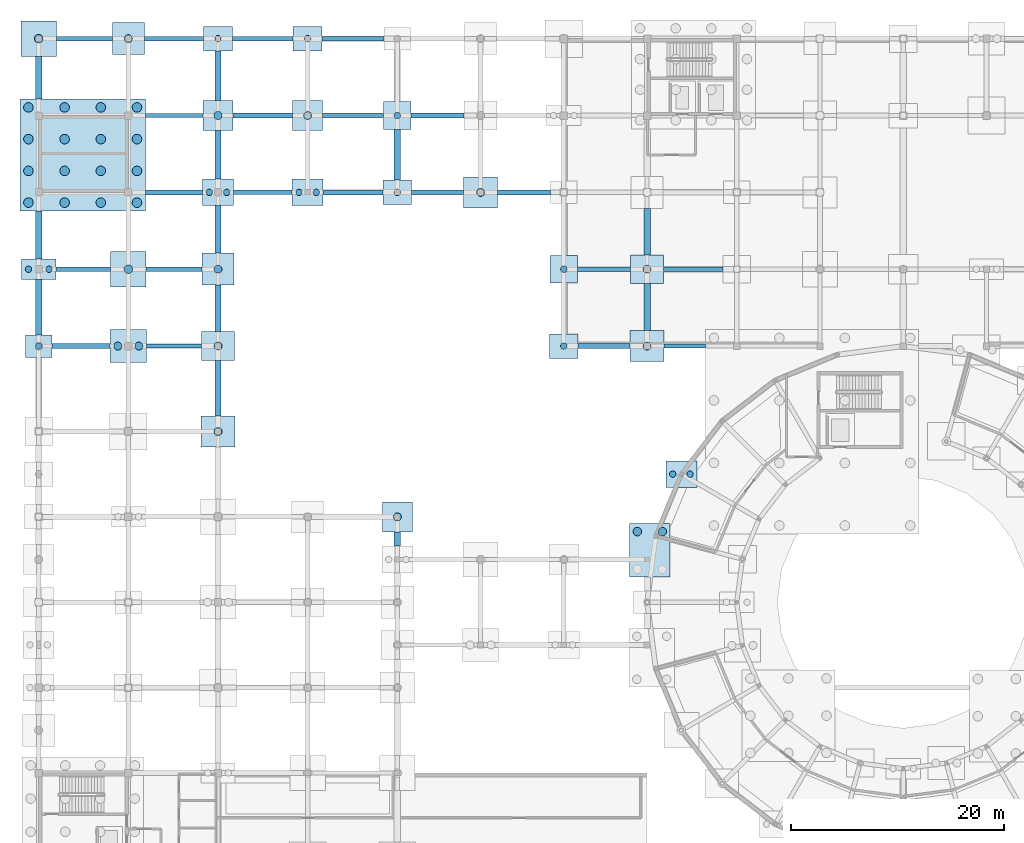
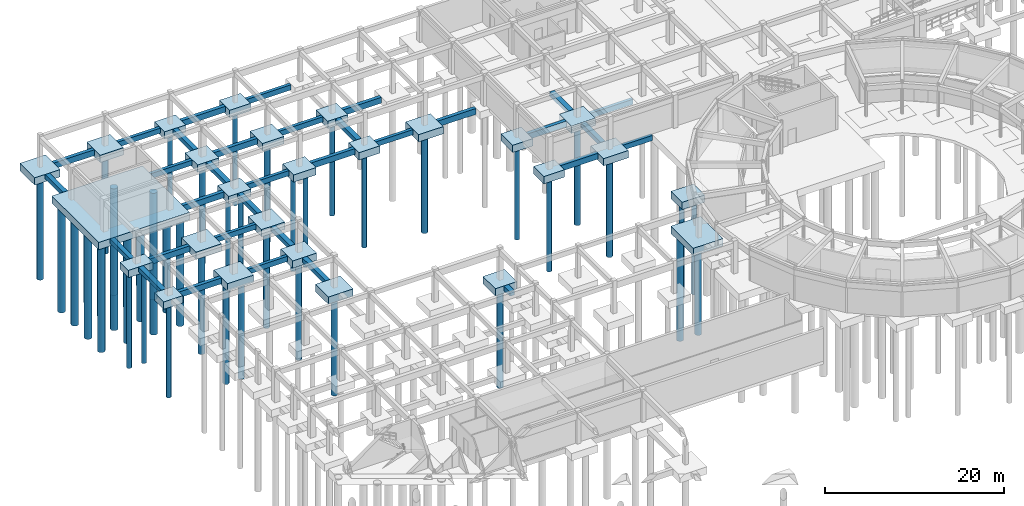
# One storey, part 4 of 43: 59 footings, 47 piles.
"""IFC4 building model written with IfcOpenShell, lengths in metres."""

from ifc_helpers import new_model, si_unit, derived_unit, direction, frame, origin, origin_2d, place, context, subcontext, project, spatial, rectangle, circle, extrude, material, material_profile, profile_set, type_object, element, save


model = new_model("IFC4")

# Units and contexts
model_context = context("Model", 3, precision=1e-05, world=origin(), true_north=direction((0.0, 1.0)))
body_context = subcontext(model_context, "Body", "Model", "MODEL_VIEW")
ifc_project = project(units=[si_unit("LENGTHUNIT", "METRE"), si_unit("AREAUNIT", "SQUARE_METRE"), si_unit("VOLUMEUNIT", "CUBIC_METRE"), si_unit("PLANEANGLEUNIT", "RADIAN"), si_unit("MASSUNIT", "GRAM", prefix="KILO"), derived_unit("THERMALTRANSMITTANCEUNIT", [(si_unit("POWERUNIT", "WATT"), 1), (si_unit("AREAUNIT", "SQUARE_METRE"), -1), (si_unit("THERMODYNAMICTEMPERATUREUNIT", "KELVIN"), -1)])], contexts=[model_context])

# Site, building, storey
site_placement = place(None, origin())
site = spatial("IfcSite", under=ifc_project, at=site_placement, CompositionType="ELEMENT")
building_placement = place(site_placement, origin())
building = spatial("IfcBuilding", under=site, at=building_placement, Name="Yasenodar Specialist Clinic", CompositionType="ELEMENT")
storey_placement = place(building_placement, frame((0.0, 0.0, -4.5)))
storey = spatial("IfcBuildingStorey", under=building, at=storey_placement, Name="B1", CompositionType="ELEMENT", Elevation=-4.5)

# Footings
ifc_material_1 = material(Name="Concrete C35/45", Category="concrete")
ifc_material_profile_1 = material_profile(ifc_material_1, rectangle(XDim=0.39990234375, YDim=0.699951171875, at=origin_2d()), Name="RC 400x700")
ifc_profile_set_1 = profile_set([ifc_material_profile_1], Name="Concrete C35/45")
footing_type_1 = type_object("IfcFootingType", Name="FB-400x700", PredefinedType="FOOTING_BEAM", material=ifc_profile_set_1)
footing_1_placement = place(storey_placement, frame((10.10009765625, 82.800048828125, -0.39990234375), z_axis=(1.0, 0.0, 0.0), x_axis=(0.0, 1.0, 0.0)))
element("IfcFooting", 1, at=footing_1_placement, inside=storey, type_object=footing_type_1, Name="B1 E-W Ground Tie Beam 064", PredefinedType="FOOTING_BEAM", context=body_context, shape_type="SweptSolid", body=[
    extrude(rectangle(XDim=0.39990234375, YDim=0.699951171875, at=origin_2d()), origin(), (0.0, 0.0, 1.0), 5.14990234375),
])
footing_2_placement = place(storey_placement, frame((58.60009765625, 82.800048828125, -0.39990234375), z_axis=(1.0, 0.0, 0.0), x_axis=(0.0, 1.0, 0.0)))
element("IfcFooting", 2, at=footing_2_placement, inside=storey, type_object=footing_type_1, Name="B1 E-W Ground Tie Beam 066", PredefinedType="FOOTING_BEAM", context=body_context, shape_type="SweptSolid", body=[
    extrude(rectangle(XDim=0.39990234375, YDim=0.699951171875, at=origin_2d()), origin(), (0.0, 0.0, 1.0), 3.87890625),
])
footing_3_placement = place(storey_placement, frame((10.050048828125, 90.0, -0.39990234375), z_axis=(1.0, 0.0, 0.0), x_axis=(0.0, 1.0, 0.0)))
element("IfcFooting", 3, at=footing_3_placement, inside=storey, type_object=footing_type_1, Name="B1 E-W Ground Tie Beam 074", PredefinedType="FOOTING_BEAM", context=body_context, shape_type="SweptSolid", body=[
    extrude(rectangle(XDim=0.39990234375, YDim=0.699951171875, at=origin_2d()), origin(), (0.0, 0.0, 1.0), 5.25),
])
footing_4_placement = place(storey_placement, frame((58.550048828125, 90.0, -0.39990234375), z_axis=(1.0, 0.0, 0.0), x_axis=(0.0, 1.0, 0.0)))
element("IfcFooting", 4, at=footing_4_placement, inside=storey, type_object=footing_type_1, Name="B1 E-W Ground Tie Beam 076", PredefinedType="FOOTING_BEAM", context=body_context, shape_type="SweptSolid", body=[
    extrude(rectangle(XDim=0.39990234375, YDim=0.699951171875, at=origin_2d()), origin(), (0.0, 0.0, 1.0), 5.550048828125),
])
footing_5_placement = place(storey_placement, frame((18.25, 97.199951171875, -0.39990234375), z_axis=(1.0, 0.0, 0.0), x_axis=(0.0, 1.0, 0.0)))
element("IfcFooting", 5, at=footing_5_placement, inside=storey, type_object=footing_type_1, Name="B1 E-W Ground Tie Beam 086", PredefinedType="FOOTING_BEAM", context=body_context, shape_type="SweptSolid", body=[
    extrude(rectangle(XDim=0.39990234375, YDim=0.699951171875, at=origin_2d()), origin(), (0.0, 0.0, 1.0), 5.5),
])
footing_6_placement = place(storey_placement, frame((34.949951171875, 97.199951171875, -0.39990234375), z_axis=(1.0, 0.0, 0.0), x_axis=(0.0, 1.0, 0.0)))
element("IfcFooting", 6, at=footing_6_placement, inside=storey, type_object=footing_type_1, Name="B1 E-W Ground Tie Beam 088", PredefinedType="FOOTING_BEAM", context=body_context, shape_type="SweptSolid", body=[
    extrude(rectangle(XDim=0.39990234375, YDim=0.699951171875, at=origin_2d()), origin(), (0.0, 0.0, 1.0), 4.85009765625),
])
footing_7_placement = place(storey_placement, frame((10.0, 104.39990234375, -0.39990234375), z_axis=(1.0, 0.0, 0.0), x_axis=(0.0, 1.0, 0.0)))
element("IfcFooting", 7, at=footing_7_placement, inside=storey, type_object=footing_type_1, Name="B1 E-W Ground Tie Beam 096", PredefinedType="FOOTING_BEAM", context=body_context, shape_type="SweptSolid", body=[
    extrude(rectangle(XDim=0.39990234375, YDim=0.699951171875, at=origin_2d()), origin(), (0.0, 0.0, 1.0), 5.39990234375),
])
footing_8_placement = place(storey_placement, frame((26.60009765625, 104.39990234375, -0.39990234375), z_axis=(1.0, 0.0, 0.0), x_axis=(0.0, 1.0, 0.0)))
element("IfcFooting", 8, at=footing_8_placement, inside=storey, type_object=footing_type_1, Name="B1 E-W Ground Tie Beam 098", PredefinedType="FOOTING_BEAM", context=body_context, shape_type="SweptSolid", body=[
    extrude(rectangle(XDim=0.39990234375, YDim=0.699951171875, at=origin_2d()), origin(), (0.0, 0.0, 1.0), 5.699951171875),
])
footing_9_placement = place(storey_placement, frame((9.89990234375, 111.60009765625, -0.39990234375), z_axis=(1.0, 0.0, 0.0), x_axis=(0.0, 1.0, 0.0)))
element("IfcFooting", 9, at=footing_9_placement, inside=storey, type_object=footing_type_1, Name="B1 E-W Ground Tie Beam 110", PredefinedType="FOOTING_BEAM", context=body_context, shape_type="SweptSolid", body=[
    extrude(rectangle(XDim=0.39990234375, YDim=0.699951171875, at=origin_2d()), origin(), (0.0, 0.0, 1.0), 5.550048828125),
])
footing_10_placement = place(storey_placement, frame((26.550048828125, 111.60009765625, -0.39990234375), z_axis=(1.0, 0.0, 0.0), x_axis=(0.0, 1.0, 0.0)))
element("IfcFooting", 10, at=footing_10_placement, inside=storey, type_object=footing_type_1, Name="B1 E-W Ground Tie Beam 112", PredefinedType="FOOTING_BEAM", context=body_context, shape_type="SweptSolid", body=[
    extrude(rectangle(XDim=0.39990234375, YDim=0.699951171875, at=origin_2d()), origin(), (0.0, 0.0, 1.0), 5.800048828125),
])
ifc_material_profile_2 = material_profile(ifc_material_1, rectangle(XDim=0.449951171875, YDim=0.800048828125, at=origin_2d()), Name="RC 450x800")
ifc_profile_set_2 = profile_set([ifc_material_profile_2], Name="Concrete C35/45")
footing_type_2 = type_object("IfcFootingType", Name="FB-450x800", PredefinedType="FOOTING_BEAM", material=ifc_profile_set_2)
footing_11_placement = place(storey_placement, frame((1.25, 82.800048828125, -0.39990234375), z_axis=(1.0, 0.0, 0.0), x_axis=(0.0, 1.0, 0.0)))
element("IfcFooting", 11, at=footing_11_placement, inside=storey, type_object=footing_type_2, Name="B1 E-W Ground Tie Beam 063", PredefinedType="FOOTING_BEAM", context=body_context, shape_type="SweptSolid", body=[
    extrude(rectangle(XDim=0.449951171875, YDim=0.800048828125, at=origin_2d()), origin(), (0.0, 0.0, 1.0), 5.449951171875),
])
footing_12_placement = place(storey_placement, frame((50.550048828125, 82.800048828125, -0.39990234375), z_axis=(1.0, 0.0, 0.0), x_axis=(0.0, 1.0, 0.0)))
element("IfcFooting", 12, at=footing_12_placement, inside=storey, type_object=footing_type_2, Name="B1 E-W Ground Tie Beam 065", PredefinedType="FOOTING_BEAM", context=body_context, shape_type="SweptSolid", body=[
    extrude(rectangle(XDim=0.449951171875, YDim=0.800048828125, at=origin_2d()), origin(), (0.0, 0.0, 1.0), 4.849853515625),
])
footing_13_placement = place(storey_placement, frame((1.60009765625, 90.0, -0.39990234375), z_axis=(1.0, 0.0, 0.0), x_axis=(0.0, 1.0, 0.0)))
element("IfcFooting", 13, at=footing_13_placement, inside=storey, type_object=footing_type_2, Name="B1 E-W Ground Tie Beam 073", PredefinedType="FOOTING_BEAM", context=body_context, shape_type="SweptSolid", body=[
    extrude(rectangle(XDim=0.449951171875, YDim=0.800048828125, at=origin_2d()), origin(), (0.0, 0.0, 1.0), 5.14990234375),
])
footing_14_placement = place(storey_placement, frame((50.5, 90.0, -0.39990234375), z_axis=(1.0, 0.0, 0.0), x_axis=(0.0, 1.0, 0.0)))
element("IfcFooting", 14, at=footing_14_placement, inside=storey, type_object=footing_type_2, Name="B1 E-W Ground Tie Beam 075", PredefinedType="FOOTING_BEAM", context=body_context, shape_type="SweptSolid", body=[
    extrude(rectangle(XDim=0.449951171875, YDim=0.800048828125, at=origin_2d()), origin(), (0.0, 0.0, 1.0), 4.949951171875),
])
footing_15_placement = place(storey_placement, frame((10.0, 97.199951171875, -0.39990234375), z_axis=(1.0, 0.0, 0.0), x_axis=(0.0, 1.0, 0.0)))
element("IfcFooting", 15, at=footing_15_placement, inside=storey, type_object=footing_type_2, Name="B1 E-W Ground Tie Beam 085", PredefinedType="FOOTING_BEAM", context=body_context, shape_type="SweptSolid", body=[
    extrude(rectangle(XDim=0.449951171875, YDim=0.800048828125, at=origin_2d()), origin(), (0.0, 0.0, 1.0), 5.35009765625),
])
footing_16_placement = place(storey_placement, frame((26.64990234375, 97.199951171875, -0.39990234375), z_axis=(1.0, 0.0, 0.0), x_axis=(0.0, 1.0, 0.0)))
element("IfcFooting", 16, at=footing_16_placement, inside=storey, type_object=footing_type_2, Name="B1 E-W Ground Tie Beam 087", PredefinedType="FOOTING_BEAM", context=body_context, shape_type="SweptSolid", body=[
    extrude(rectangle(XDim=0.449951171875, YDim=0.800048828125, at=origin_2d()), origin(), (0.0, 0.0, 1.0), 5.60009765625),
])
footing_17_placement = place(storey_placement, frame((43.0, 97.199951171875, -0.39990234375), z_axis=(1.0, 0.0, 0.0), x_axis=(0.0, 1.0, 0.0)))
element("IfcFooting", 17, at=footing_17_placement, inside=storey, type_object=footing_type_2, Name="B1 E-W Ground Tie Beam 089", PredefinedType="FOOTING_BEAM", context=body_context, shape_type="SweptSolid", body=[
    extrude(rectangle(XDim=0.449951171875, YDim=0.800048828125, at=origin_2d()), origin(), (0.0, 0.0, 1.0), 4.949951171875),
])
footing_18_placement = place(storey_placement, frame((18.199951171875, 104.39990234375, -0.39990234375), z_axis=(1.0, 0.0, 0.0), x_axis=(0.0, 1.0, 0.0)))
element("IfcFooting", 18, at=footing_18_placement, inside=storey, type_object=footing_type_2, Name="B1 E-W Ground Tie Beam 097", PredefinedType="FOOTING_BEAM", context=body_context, shape_type="SweptSolid", body=[
    extrude(rectangle(XDim=0.449951171875, YDim=0.800048828125, at=origin_2d()), origin(), (0.0, 0.0, 1.0), 5.60009765625),
])
footing_19_placement = place(storey_placement, frame((34.89990234375, 104.39990234375, -0.39990234375), z_axis=(1.0, 0.0, 0.0), x_axis=(0.0, 1.0, 0.0)))
element("IfcFooting", 19, at=footing_19_placement, inside=storey, type_object=footing_type_2, Name="B1 E-W Ground Tie Beam 099", PredefinedType="FOOTING_BEAM", context=body_context, shape_type="SweptSolid", body=[
    extrude(rectangle(XDim=0.449951171875, YDim=0.800048828125, at=origin_2d()), origin(), (0.0, 0.0, 1.0), 4.9501953125),
])
footing_20_placement = place(storey_placement, frame((1.64990234375, 111.60009765625, -0.39990234375), z_axis=(1.0, 0.0, 0.0), x_axis=(0.0, 1.0, 0.0)))
element("IfcFooting", 20, at=footing_20_placement, inside=storey, type_object=footing_type_2, Name="B1 E-W Ground Tie Beam 109", PredefinedType="FOOTING_BEAM", context=body_context, shape_type="SweptSolid", body=[
    extrude(rectangle(XDim=0.449951171875, YDim=0.800048828125, at=origin_2d()), origin(), (0.0, 0.0, 1.0), 5.25),
])
footing_21_placement = place(storey_placement, frame((18.14990234375, 111.60009765625, -0.39990234375), z_axis=(1.0, 0.0, 0.0), x_axis=(0.0, 1.0, 0.0)))
element("IfcFooting", 21, at=footing_21_placement, inside=storey, type_object=footing_type_2, Name="B1 E-W Ground Tie Beam 111", PredefinedType="FOOTING_BEAM", context=body_context, shape_type="SweptSolid", body=[
    extrude(rectangle(XDim=0.449951171875, YDim=0.800048828125, at=origin_2d()), origin(), (0.0, 0.0, 1.0), 5.7001953125),
])
ifc_material_profile_3 = material_profile(ifc_material_1, rectangle(XDim=0.60009765625, YDim=0.60009765625, at=origin_2d()), Name="RC 600x600")
ifc_profile_set_3 = profile_set([ifc_material_profile_3], Name="Concrete C35/45")
footing_type_3 = type_object("IfcFootingType", Name="FB-600x600", PredefinedType="FOOTING_BEAM", material=ifc_profile_set_3)
footing_22_placement = place(storey_placement, frame((0.0, 83.85009765625, -0.300048828125), z_axis=(0.0, 1.0, 0.0), x_axis=(-1.0, 0.0, 0.0)))
element("IfcFooting", 22, at=footing_22_placement, inside=storey, type_object=footing_type_3, Name="B1 N-S Ground Tie Beam 134", PredefinedType="FOOTING_BEAM", context=body_context, shape_type="SweptSolid", body=[
    extrude(rectangle(XDim=0.60009765625, YDim=0.60009765625, at=origin_2d()), origin(), (0.0, 0.0, 1.0), 5.199951171875),
])
footing_23_placement = place(storey_placement, frame((0.0, 90.949951171875, -0.300048828125), z_axis=(0.0, 1.0, 0.0), x_axis=(-1.0, 0.0, 0.0)))
element("IfcFooting", 23, at=footing_23_placement, inside=storey, type_object=footing_type_3, Name="B1 N-S Ground Tie Beam 135", PredefinedType="FOOTING_BEAM", context=body_context, shape_type="SweptSolid", body=[
    extrude(rectangle(XDim=0.60009765625, YDim=0.60009765625, at=origin_2d()), origin(), (0.0, 0.0, 1.0), 4.5),
])
footing_24_placement = place(storey_placement, frame((0.0, 105.949951171875, -0.300048828125), z_axis=(0.0, 1.0, 0.0), x_axis=(-1.0, 0.0, 0.0)))
element("IfcFooting", 24, at=footing_24_placement, inside=storey, type_object=footing_type_3, Name="B1 N-S Ground Tie Beam 136", PredefinedType="FOOTING_BEAM", context=body_context, shape_type="SweptSolid", body=[
    extrude(rectangle(XDim=0.60009765625, YDim=0.60009765625, at=origin_2d()), origin(), (0.0, 0.0, 1.0), 4.0),
])
footing_25_placement = place(storey_placement, frame((16.800048828125, 76.25, -0.300048828125), z_axis=(0.0, 1.0, 0.0), x_axis=(-1.0, 0.0, 0.0)))
element("IfcFooting", 25, at=footing_25_placement, inside=storey, type_object=footing_type_3, Name="B1 N-S Ground Tie Beam 146", PredefinedType="FOOTING_BEAM", context=body_context, shape_type="SweptSolid", body=[
    extrude(rectangle(XDim=0.60009765625, YDim=0.60009765625, at=origin_2d()), origin(), (0.0, 0.0, 1.0), 5.199951171875),
])
footing_26_placement = place(storey_placement, frame((16.800048828125, 84.14990234375, -0.300048828125), z_axis=(0.0, 1.0, 0.0), x_axis=(-1.0, 0.0, 0.0)))
element("IfcFooting", 26, at=footing_26_placement, inside=storey, type_object=footing_type_3, Name="B1 N-S Ground Tie Beam 147", PredefinedType="FOOTING_BEAM", context=body_context, shape_type="SweptSolid", body=[
    extrude(rectangle(XDim=0.60009765625, YDim=0.60009765625, at=origin_2d()), origin(), (0.0, 0.0, 1.0), 4.35009765625),
])
footing_27_placement = place(storey_placement, frame((16.800048828125, 91.5, -0.300048828125), z_axis=(0.0, 1.0, 0.0), x_axis=(-1.0, 0.0, 0.0)))
element("IfcFooting", 27, at=footing_27_placement, inside=storey, type_object=footing_type_3, Name="B1 N-S Ground Tie Beam 148", PredefinedType="FOOTING_BEAM", context=body_context, shape_type="SweptSolid", body=[
    extrude(rectangle(XDim=0.60009765625, YDim=0.60009765625, at=origin_2d()), origin(), (0.0, 0.0, 1.0), 4.449951171875),
])
footing_28_placement = place(storey_placement, frame((16.800048828125, 98.449951171875, -0.300048828125), z_axis=(0.0, 1.0, 0.0), x_axis=(-1.0, 0.0, 0.0)))
element("IfcFooting", 28, at=footing_28_placement, inside=storey, type_object=footing_type_3, Name="B1 N-S Ground Tie Beam 149", PredefinedType="FOOTING_BEAM", context=body_context, shape_type="SweptSolid", body=[
    extrude(rectangle(XDim=0.60009765625, YDim=0.60009765625, at=origin_2d()), origin(), (0.0, 0.0, 1.0), 4.550048828125),
])
footing_29_placement = place(storey_placement, frame((16.800048828125, 105.800048828125, -0.300048828125), z_axis=(0.0, 1.0, 0.0), x_axis=(-1.0, 0.0, 0.0)))
element("IfcFooting", 29, at=footing_29_placement, inside=storey, type_object=footing_type_3, Name="B1 N-S Ground Tie Beam 150", PredefinedType="FOOTING_BEAM", context=body_context, shape_type="SweptSolid", body=[
    extrude(rectangle(XDim=0.60009765625, YDim=0.60009765625, at=origin_2d()), origin(), (0.0, 0.0, 1.0), 4.64990234375),
])
footing_30_placement = place(storey_placement, frame((33.60009765625, 64.050048828125, -0.300048828125), z_axis=(0.0, 1.0, 0.0), x_axis=(-1.0, 0.0, 0.0)))
element("IfcFooting", 30, at=footing_30_placement, inside=storey, type_object=footing_type_3, Name="B1 N-S Ground Tie Beam 159", PredefinedType="FOOTING_BEAM", context=body_context, shape_type="SweptSolid", body=[
    extrude(rectangle(XDim=0.60009765625, YDim=0.60009765625, at=origin_2d()), origin(), (0.0, 0.0, 1.0), 1.349853515625),
])
footing_31_placement = place(storey_placement, frame((33.60009765625, 98.35009765625, -0.300048828125), z_axis=(0.0, 1.0, 0.0), x_axis=(-1.0, 0.0, 0.0)))
element("IfcFooting", 31, at=footing_31_placement, inside=storey, type_object=footing_type_3, Name="B1 N-S Ground Tie Beam 160", PredefinedType="FOOTING_BEAM", context=body_context, shape_type="SweptSolid", body=[
    extrude(rectangle(XDim=0.60009765625, YDim=0.60009765625, at=origin_2d()), origin(), (0.0, 0.0, 1.0), 4.75),
])
footing_32_placement = place(storey_placement, frame((57.0, 84.25, -0.300048828125), z_axis=(0.0, 1.0, 0.0), x_axis=(-1.0, 0.0, 0.0)))
element("IfcFooting", 32, at=footing_32_placement, inside=storey, type_object=footing_type_3, Name="B1 N-S Ground Tie Beam 164", PredefinedType="FOOTING_BEAM", context=body_context, shape_type="SweptSolid", body=[
    extrude(rectangle(XDim=0.60009765625, YDim=0.60009765625, at=origin_2d()), origin(), (0.0, 0.0, 1.0), 4.39990234375),
])
footing_33_placement = place(storey_placement, frame((57.0, 91.35009765625, -0.300048828125), z_axis=(0.0, 1.0, 0.0), x_axis=(-1.0, 0.0, 0.0)))
element("IfcFooting", 33, at=footing_33_placement, inside=storey, type_object=footing_type_3, Name="B1 N-S Ground Tie Beam 165", PredefinedType="FOOTING_BEAM", context=body_context, shape_type="SweptSolid", body=[
    extrude(rectangle(XDim=0.60009765625, YDim=0.60009765625, at=origin_2d()), origin(), (0.0, 0.0, 1.0), 4.349853515625),
])
footing_type_4 = type_object("IfcFootingType", Name="PC-1175x1050", PredefinedType="PILE_CAP", material=ifc_material_1)
footing_34_placement = place(storey_placement, frame((4.125, 100.699951171875, -1.0), z_axis=(0.0, 0.0, 1.0), x_axis=(1.0, 0.0, 0.0)))
element("IfcFooting", 34, at=footing_34_placement, inside=storey, type_object=footing_type_4, Name="B1 Pile Cap 144", PredefinedType="PILE_CAP", context=body_context, shape_type="SweptSolid", body=[
    extrude(rectangle(XDim=11.75, YDim=10.5, at=origin_2d()), origin(), (0.0, 0.0, 1.0), 1.0),
])
footing_type_5 = type_object("IfcFootingType", Name="PC-250x210", PredefinedType="PILE_CAP", material=ifc_material_1)
footing_35_placement = place(storey_placement, frame((0.0, 82.800048828125, -1.0), z_axis=(0.0, 0.0, 1.0), x_axis=(1.0, 0.0, 0.0)))
element("IfcFooting", 35, at=footing_35_placement, inside=storey, type_object=footing_type_5, Name="B1 Pile Cap 128", PredefinedType="PILE_CAP", context=body_context, shape_type="SweptSolid", body=[
    extrude(rectangle(XDim=2.5, YDim=2.10009765625, at=origin_2d()), origin(), (0.0, 0.0, 1.0), 1.0),
])
footing_type_6 = type_object("IfcFootingType", Name="PC-260x260", PredefinedType="PILE_CAP", material=ifc_material_1)
for number, where, z_axis, x_axis, name in (
    (36, (49.199951171875, 90.0, -1.0), (0.0, 0.0, 1.0), (1.0, 0.0, 0.0), "B1 Pile Cap 139"),
    (37, (33.60009765625, 104.39990234375, -1.0), (0.0, 0.0, 1.0), (1.0, 0.0, 0.0), "B1 Pile Cap 164"),
):
    element("IfcFooting", number, at=place(storey_placement, frame(where, z_axis=z_axis, x_axis=x_axis)), inside=storey, type_object=footing_type_6, Name=name, PredefinedType="PILE_CAP", context=body_context, shape_type="SweptSolid", body=[
        extrude(rectangle(XDim=2.60009765625, YDim=2.60009765625, at=origin_2d()), origin(), (0.0, 0.0, 1.0), 1.0),
    ])
footing_type_7 = type_object("IfcFootingType", Name="PC-270x230", PredefinedType="PILE_CAP", material=ifc_material_1)
for number, where, z_axis, x_axis, name in (
    (38, (49.199951171875, 82.800048828125, -1.0), (0.0, 0.0, 1.0), (1.0, 0.0, 0.0), "B1 Pile Cap 126"),
    (39, (33.60009765625, 97.199951171875, -1.0), (0.0, 0.0, 1.0), (1.0, 0.0, 0.0), "B1 Pile Cap 152"),
    (40, (16.800048828125, 111.60009765625, -1.0), (0.0, 0.0, 1.0), (1.0, 0.0, 0.0), "B1 Pile Cap 179"),
    (41, (25.199951171875, 111.60009765625, -1.0), (0.0, 0.0, 1.0), (1.0, 0.0, 0.0), "B1 Pile Cap 180"),
):
    element("IfcFooting", number, at=place(storey_placement, frame(where, z_axis=z_axis, x_axis=x_axis)), inside=storey, type_object=footing_type_7, Name=name, PredefinedType="PILE_CAP", context=body_context, shape_type="SweptSolid", body=[
        extrude(rectangle(XDim=2.699951171875, YDim=2.300048828125, at=origin_2d()), origin(), (0.0, 0.0, 1.0), 1.0),
    ])
footing_type_8 = type_object("IfcFootingType", Name="PC-280x280", PredefinedType="PILE_CAP", material=ifc_material_1)
for number, where, z_axis, x_axis, name in (
    (42, (33.60009765625, 66.800048828125, -1.0), (0.0, 0.0, 1.0), (1.0, 0.0, 0.0), "B1 Pile Cap 105"),
    (43, (16.800048828125, 104.39990234375, -1.0), (0.0, 0.0, 1.0), (1.0, 0.0, 0.0), "B1 Pile Cap 159"),
    (44, (25.199951171875, 104.39990234375, -1.0), (0.0, 0.0, 1.0), (1.0, 0.0, 0.0), "B1 Pile Cap 160"),
):
    element("IfcFooting", number, at=place(storey_placement, frame(where, z_axis=z_axis, x_axis=x_axis)), inside=storey, type_object=footing_type_8, Name=name, PredefinedType="PILE_CAP", context=body_context, shape_type="SweptSolid", body=[
        extrude(rectangle(XDim=2.800048828125, YDim=2.800048828125, at=origin_2d()), origin(), (0.0, 0.0, 1.0), 1.0),
    ])
footing_type_9 = type_object("IfcFootingType", Name="PC-290x250", PredefinedType="PILE_CAP", material=ifc_material_1)
for number, where, z_axis, x_axis, name in (
    (45, (60.215087890625, 70.800048828125, -1.0), (0.0, 0.0, 1.0), (1.0, 0.0, 0.0), "B1 Pile Cap 110"),
    (46, (16.800048828125, 97.199951171875, -1.0), (0.0, 0.0, 1.0), (1.0, 0.0, 0.0), "B1 Pile Cap 150"),
    (47, (25.199951171875, 97.199951171875, -1.0), (0.0, 0.0, 1.0), (1.0, 0.0, 0.0), "B1 Pile Cap 151"),
):
    element("IfcFooting", number, at=place(storey_placement, frame(where, z_axis=z_axis, x_axis=x_axis)), inside=storey, type_object=footing_type_9, Name=name, PredefinedType="PILE_CAP", context=body_context, shape_type="SweptSolid", body=[
        extrude(rectangle(XDim=2.89990234375, YDim=2.5, at=origin_2d()), origin(), (0.0, 0.0, 1.0), 1.0),
    ])
footing_type_10 = type_object("IfcFootingType", Name="PC-300x300", PredefinedType="PILE_CAP", material=ifc_material_1)
for number, where, z_axis, x_axis, name in (
    (48, (16.800048828125, 90.0, -1.0), (0.0, 0.0, 1.0), (1.0, 0.0, 0.0), "B1 Pile Cap 134"),
    (49, (8.39990234375, 111.60009765625, -1.0), (0.0, 0.0, 1.0), (1.0, 0.0, 0.0), "B1 Pile Cap 173"),
):
    element("IfcFooting", number, at=place(storey_placement, frame(where, z_axis=z_axis, x_axis=x_axis)), inside=storey, type_object=footing_type_10, Name=name, PredefinedType="PILE_CAP", context=body_context, shape_type="SweptSolid", body=[
        extrude(rectangle(XDim=3.0, YDim=3.0, at=origin_2d()), origin(), (0.0, 0.0, 1.0), 1.0),
    ])
footing_type_11 = type_object("IfcFootingType", Name="PC-310x270", PredefinedType="PILE_CAP", material=ifc_material_1)
for number, where, z_axis, x_axis, name in (
    (50, (16.800048828125, 82.800048828125, -1.0), (0.0, 0.0, 1.0), (1.0, 0.0, 0.0), "B1 Pile Cap 123"),
    (51, (57.0, 90.0, -1.0), (0.0, 0.0, 1.0), (1.0, 0.0, 0.0), "B1 Pile Cap 138"),
):
    element("IfcFooting", number, at=place(storey_placement, frame(where, z_axis=z_axis, x_axis=x_axis)), inside=storey, type_object=footing_type_11, Name=name, PredefinedType="PILE_CAP", context=body_context, shape_type="SweptSolid", body=[
        extrude(rectangle(XDim=3.10009765625, YDim=2.699951171875, at=origin_2d()), origin(), (0.0, 0.0, 1.0), 1.0),
    ])
footing_type_12 = type_object("IfcFootingType", Name="PC-320x190", PredefinedType="PILE_CAP", material=ifc_material_1)
footing_36_placement = place(storey_placement, frame((0.0, 90.0, -1.0), z_axis=(0.0, 0.0, 1.0), x_axis=(1.0, 0.0, 0.0)))
element("IfcFooting", 52, at=footing_36_placement, inside=storey, type_object=footing_type_12, Name="B1 Pile Cap 142", PredefinedType="PILE_CAP", context=body_context, shape_type="SweptSolid", body=[
    extrude(rectangle(XDim=3.199951171875, YDim=1.89990234375, at=origin_2d()), origin(), (0.0, 0.0, 1.0), 1.0),
])
footing_type_13 = type_object("IfcFootingType", Name="PC-320x290", PredefinedType="PILE_CAP", material=ifc_material_1)
for number, where, z_axis, x_axis, name in (
    (53, (16.800048828125, 74.800048828125, -1.0), (0.0, 0.0, 1.0), (1.0, 0.0, 0.0), "B1 Pile Cap 115"),
    (54, (57.0, 82.800048828125, -1.0), (0.0, 0.0, 1.0), (1.0, 0.0, 0.0), "B1 Pile Cap 122"),
    (55, (41.39990234375, 97.199951171875, -1.0), (0.0, 0.0, 1.0), (1.0, 0.0, 0.0), "B1 Pile Cap 147"),
):
    element("IfcFooting", number, at=place(storey_placement, frame(where, z_axis=z_axis, x_axis=x_axis)), inside=storey, type_object=footing_type_13, Name=name, PredefinedType="PILE_CAP", context=body_context, shape_type="SweptSolid", body=[
        extrude(rectangle(XDim=3.199951171875, YDim=2.89990234375, at=origin_2d()), origin(), (0.0, 0.0, 1.0), 1.0),
    ])
footing_type_14 = type_object("IfcFootingType", Name="PC-330x330", PredefinedType="PILE_CAP", material=ifc_material_1)
for number, where, z_axis, x_axis, name in (
    (56, (8.39990234375, 90.0, -1.0), (0.0, 0.0, 1.0), (1.0, 0.0, 0.0), "B1 Pile Cap 131"),
    (57, (0.0, 111.60009765625, -1.0), (0.0, 0.0, 1.0), (1.0, 0.0, 0.0), "B1 Pile Cap 171"),
):
    element("IfcFooting", number, at=place(storey_placement, frame(where, z_axis=z_axis, x_axis=x_axis)), inside=storey, type_object=footing_type_14, Name=name, PredefinedType="PILE_CAP", context=body_context, shape_type="SweptSolid", body=[
        extrude(rectangle(XDim=3.300048828125, YDim=3.300048828125, at=origin_2d()), origin(), (0.0, 0.0, 1.0), 1.0),
    ])
footing_type_15 = type_object("IfcFootingType", Name="PC-340x310", PredefinedType="PILE_CAP", material=ifc_material_1)
footing_37_placement = place(storey_placement, frame((8.39990234375, 82.800048828125, -1.0), z_axis=(0.0, 0.0, 1.0), x_axis=(1.0, 0.0, 0.0)))
element("IfcFooting", 58, at=footing_37_placement, inside=storey, type_object=footing_type_15, Name="B1 Pile Cap 120", PredefinedType="PILE_CAP", context=body_context, shape_type="SweptSolid", body=[
    extrude(rectangle(XDim=3.39990234375, YDim=3.10009765625, at=origin_2d()), origin(), (0.0, 0.0, 1.0), 1.0),
])
footing_type_16 = type_object("IfcFootingType", Name="PC-382x501", PredefinedType="PILE_CAP", material=ifc_material_1)
footing_38_placement = place(storey_placement, frame((57.259033203125, 63.656005859375, -1.0), z_axis=(0.0, 0.0, 1.0), x_axis=(1.0, 0.0, 0.0)))
element("IfcFooting", 59, at=footing_38_placement, inside=storey, type_object=footing_type_16, Name="B1 Pile Cap 094", PredefinedType="PILE_CAP", context=body_context, shape_type="SweptSolid", body=[
    extrude(rectangle(XDim=3.820068359375, YDim=5.010009765625, at=origin_2d()), origin(), (0.0, 0.0, 1.0), 1.0),
])

# Piles
ifc_material_2 = material(Name="Concrete C30/37", Category="concrete")
ifc_material_profile_4 = material_profile(ifc_material_2, circle(Radius=0.300048828125, at=origin_2d()), Name="PILE D600")
ifc_profile_set_4 = profile_set([ifc_material_profile_4], Name="Concrete C30/37")
pile_type_1 = type_object("IfcPileType", Name="PILE-D600", PredefinedType="BORED", material=ifc_profile_set_4)
for number, where, z_axis, x_axis, name in (
    (60, (59.405029296875, 70.800048828125, -0.89990234375), (0.0, 0.0, -1.0), (1.0, 0.0, 0.0), "B1 Bored Pile 0211"),
    (61, (61.02490234375, 70.800048828125, -0.89990234375), (0.0, 0.0, -1.0), (1.0, 0.0, 0.0), "B1 Bored Pile 0212"),
    (62, (49.199951171875, 82.800048828125, -0.89990234375), (0.0, 0.0, -1.0), (1.0, 0.0, 0.0), "B1 Bored Pile 0232"),
    (63, (0.0, 82.800048828125, -0.89990234375), (0.0, 0.0, -1.0), (1.0, 0.0, 0.0), "B1 Bored Pile 0234"),
    (64, (49.199951171875, 90.0, -0.89990234375), (0.0, 0.0, -1.0), (1.0, 0.0, 0.0), "B1 Bored Pile 0246"),
    (65, (-0.9599609375, 90.0, -0.89990234375), (0.0, 0.0, -1.0), (1.0, 0.0, 0.0), "B1 Bored Pile 0249"),
    (66, (0.9599609375, 90.0, -0.89990234375), (0.0, 0.0, -1.0), (1.0, 0.0, 0.0), "B1 Bored Pile 0250"),
    (67, (15.989990234375, 97.199951171875, -0.89990234375), (0.0, 0.0, -1.0), (1.0, 0.0, 0.0), "B1 Bored Pile 0275"),
    (68, (17.610107421875, 97.199951171875, -0.89990234375), (0.0, 0.0, -1.0), (1.0, 0.0, 0.0), "B1 Bored Pile 0276"),
    (69, (24.389892578125, 97.199951171875, -0.89990234375), (0.0, 0.0, -1.0), (1.0, 0.0, 0.0), "B1 Bored Pile 0277"),
    (70, (26.010009765625, 97.199951171875, -0.89990234375), (0.0, 0.0, -1.0), (1.0, 0.0, 0.0), "B1 Bored Pile 0278"),
    (71, (33.60009765625, 97.199951171875, -0.89990234375), (0.0, 0.0, -1.0), (1.0, 0.0, 0.0), "B1 Bored Pile 0279"),
    (72, (33.60009765625, 104.39990234375, -0.89990234375), (0.0, 0.0, -1.0), (1.0, 0.0, 0.0), "B1 Bored Pile 0306"),
    (73, (16.800048828125, 111.60009765625, -0.89990234375), (0.0, 0.0, -1.0), (1.0, 0.0, 0.0), "B1 Bored Pile 0339"),
    (74, (25.199951171875, 111.60009765625, -0.89990234375), (0.0, 0.0, -1.0), (1.0, 0.0, 0.0), "B1 Bored Pile 0340"),
):
    element("IfcPile", number, at=place(storey_placement, frame(where, z_axis=z_axis, x_axis=x_axis)), inside=storey, type_object=pile_type_1, Name=name, PredefinedType="BORED", context=body_context, shape_type="SweptSolid", body=[
        extrude(circle(Radius=0.300048828125, at=origin_2d()), origin(), (0.0, 0.0, 1.0), 13.10009765625),
    ])
ifc_material_profile_5 = material_profile(ifc_material_2, circle(Radius=0.375, at=origin_2d()), Name="PILE D750")
ifc_profile_set_5 = profile_set([ifc_material_profile_5], Name="Concrete C30/37")
pile_type_2 = type_object("IfcPileType", Name="PILE-D750", PredefinedType="BORED", material=ifc_profile_set_5)
for number, where, z_axis, x_axis, name in (
    (75, (33.60009765625, 66.800048828125, -0.89990234375), (0.0, 0.0, -1.0), (1.0, 0.0, 0.0), "B1 Bored Pile 0205"),
    (76, (16.800048828125, 74.800048828125, -0.89990234375), (0.0, 0.0, -1.0), (1.0, 0.0, 0.0), "B1 Bored Pile 0217"),
    (77, (7.4150390625, 82.800048828125, -0.89990234375), (0.0, 0.0, -1.0), (1.0, 0.0, 0.0), "B1 Bored Pile 0223"),
    (78, (9.385009765625, 82.800048828125, -0.89990234375), (0.0, 0.0, -1.0), (1.0, 0.0, 0.0), "B1 Bored Pile 0224"),
    (79, (57.0, 82.800048828125, -0.89990234375), (0.0, 0.0, -1.0), (1.0, 0.0, 0.0), "B1 Bored Pile 0227"),
    (80, (16.800048828125, 82.800048828125, -0.89990234375), (0.0, 0.0, -1.0), (1.0, 0.0, 0.0), "B1 Bored Pile 0228"),
    (81, (16.800048828125, 90.0, -0.89990234375), (0.0, 0.0, -1.0), (1.0, 0.0, 0.0), "B1 Bored Pile 0241"),
    (82, (57.0, 90.0, -0.89990234375), (0.0, 0.0, -1.0), (1.0, 0.0, 0.0), "B1 Bored Pile 0245"),
    (83, (41.39990234375, 97.199951171875, -0.89990234375), (0.0, 0.0, -1.0), (1.0, 0.0, 0.0), "B1 Bored Pile 0272"),
    (84, (16.800048828125, 104.39990234375, -0.89990234375), (0.0, 0.0, -1.0), (1.0, 0.0, 0.0), "B1 Bored Pile 0301"),
    (85, (25.199951171875, 104.39990234375, -0.89990234375), (0.0, 0.0, -1.0), (1.0, 0.0, 0.0), "B1 Bored Pile 0302"),
    (86, (8.39990234375, 111.60009765625, -0.89990234375), (0.0, 0.0, -1.0), (1.0, 0.0, 0.0), "B1 Bored Pile 0333"),
):
    element("IfcPile", number, at=place(storey_placement, frame(where, z_axis=z_axis, x_axis=x_axis)), inside=storey, type_object=pile_type_2, Name=name, PredefinedType="BORED", context=body_context, shape_type="SweptSolid", body=[
        extrude(circle(Radius=0.375, at=origin_2d()), origin(), (0.0, 0.0, 1.0), 13.800048828125),
    ])
ifc_material_profile_6 = material_profile(ifc_material_2, circle(Radius=0.39990234375, at=origin_2d()), Name="PILE D800")
ifc_profile_set_6 = profile_set([ifc_material_profile_6], Name="Concrete C30/37")
pile_type_3 = type_object("IfcPileType", Name="PILE-D800", PredefinedType="BORED", material=ifc_profile_set_6)
for number, where, z_axis, x_axis, name in (
    (87, (56.090087890625, 65.419921875, -0.89990234375), (0.0, 0.0, -1.0), (1.0, 0.0, 0.0), "B1 Bored Pile 0175"),
    (88, (58.429931640625, 65.419921875, -0.89990234375), (0.0, 0.0, -1.0), (1.0, 0.0, 0.0), "B1 Bored Pile 0177"),
    (89, (8.39990234375, 90.0, -0.89990234375), (0.0, 0.0, -1.0), (1.0, 0.0, 0.0), "B1 Bored Pile 0238"),
    (90, (0.0, 111.60009765625, -0.89990234375), (0.0, 0.0, -1.0), (1.0, 0.0, 0.0), "B1 Bored Pile 0330"),
):
    element("IfcPile", number, at=place(storey_placement, frame(where, z_axis=z_axis, x_axis=x_axis)), inside=storey, type_object=pile_type_3, Name=name, PredefinedType="BORED", context=body_context, shape_type="SweptSolid", body=[
        extrude(circle(Radius=0.39990234375, at=origin_2d()), origin(), (0.0, 0.0, 1.0), 14.39990234375),
    ])
ifc_material_profile_7 = material_profile(ifc_material_2, circle(Radius=0.449951171875, at=origin_2d()), Name="PILE D900")
ifc_profile_set_7 = profile_set([ifc_material_profile_7], Name="Concrete C30/37")
pile_type_4 = type_object("IfcPileType", Name="PILE-D900", PredefinedType="BORED", material=ifc_profile_set_7)
for number, where, z_axis, x_axis, name in (
    (91, (-0.9599609375, 96.239990234375, -0.89990234375), (0.0, 0.0, -1.0), (1.0, 0.0, 0.0), "B1 Bored Pile 0253"),
    (92, (-0.9599609375, 99.21337890625, -0.89990234375), (0.0, 0.0, -1.0), (1.0, 0.0, 0.0), "B1 Bored Pile 0254"),
    (93, (-0.9599609375, 102.186767578125, -0.89990234375), (0.0, 0.0, -1.0), (1.0, 0.0, 0.0), "B1 Bored Pile 0255"),
    (94, (-0.9599609375, 105.159912109375, -0.89990234375), (0.0, 0.0, -1.0), (1.0, 0.0, 0.0), "B1 Bored Pile 0256"),
    (95, (2.429931640625, 96.239990234375, -0.89990234375), (0.0, 0.0, -1.0), (1.0, 0.0, 0.0), "B1 Bored Pile 0257"),
    (96, (2.429931640625, 99.21337890625, -0.89990234375), (0.0, 0.0, -1.0), (1.0, 0.0, 0.0), "B1 Bored Pile 0258"),
    (97, (2.429931640625, 102.186767578125, -0.89990234375), (0.0, 0.0, -1.0), (1.0, 0.0, 0.0), "B1 Bored Pile 0259"),
    (98, (2.429931640625, 105.159912109375, -0.89990234375), (0.0, 0.0, -1.0), (1.0, 0.0, 0.0), "B1 Bored Pile 0260"),
    (99, (5.820068359375, 96.239990234375, -0.89990234375), (0.0, 0.0, -1.0), (1.0, 0.0, 0.0), "B1 Bored Pile 0261"),
    (100, (5.820068359375, 99.21337890625, -0.89990234375), (0.0, 0.0, -1.0), (1.0, 0.0, 0.0), "B1 Bored Pile 0262"),
    (101, (5.820068359375, 102.186767578125, -0.89990234375), (0.0, 0.0, -1.0), (1.0, 0.0, 0.0), "B1 Bored Pile 0263"),
    (102, (5.820068359375, 105.159912109375, -0.89990234375), (0.0, 0.0, -1.0), (1.0, 0.0, 0.0), "B1 Bored Pile 0264"),
    (103, (9.2099609375, 96.239990234375, -0.89990234375), (0.0, 0.0, -1.0), (1.0, 0.0, 0.0), "B1 Bored Pile 0265"),
    (104, (9.2099609375, 99.21337890625, -0.89990234375), (0.0, 0.0, -1.0), (1.0, 0.0, 0.0), "B1 Bored Pile 0266"),
    (105, (9.2099609375, 102.186767578125, -0.89990234375), (0.0, 0.0, -1.0), (1.0, 0.0, 0.0), "B1 Bored Pile 0267"),
    (106, (9.2099609375, 105.159912109375, -0.89990234375), (0.0, 0.0, -1.0), (1.0, 0.0, 0.0), "B1 Bored Pile 0268"),
):
    element("IfcPile", number, at=place(storey_placement, frame(where, z_axis=z_axis, x_axis=x_axis)), inside=storey, type_object=pile_type_4, Name=name, PredefinedType="BORED", context=body_context, shape_type="SweptSolid", body=[
        extrude(circle(Radius=0.449951171875, at=origin_2d()), origin(), (0.0, 0.0, 1.0), 14.60009765625),
    ])

save(model, "model.ifc")
